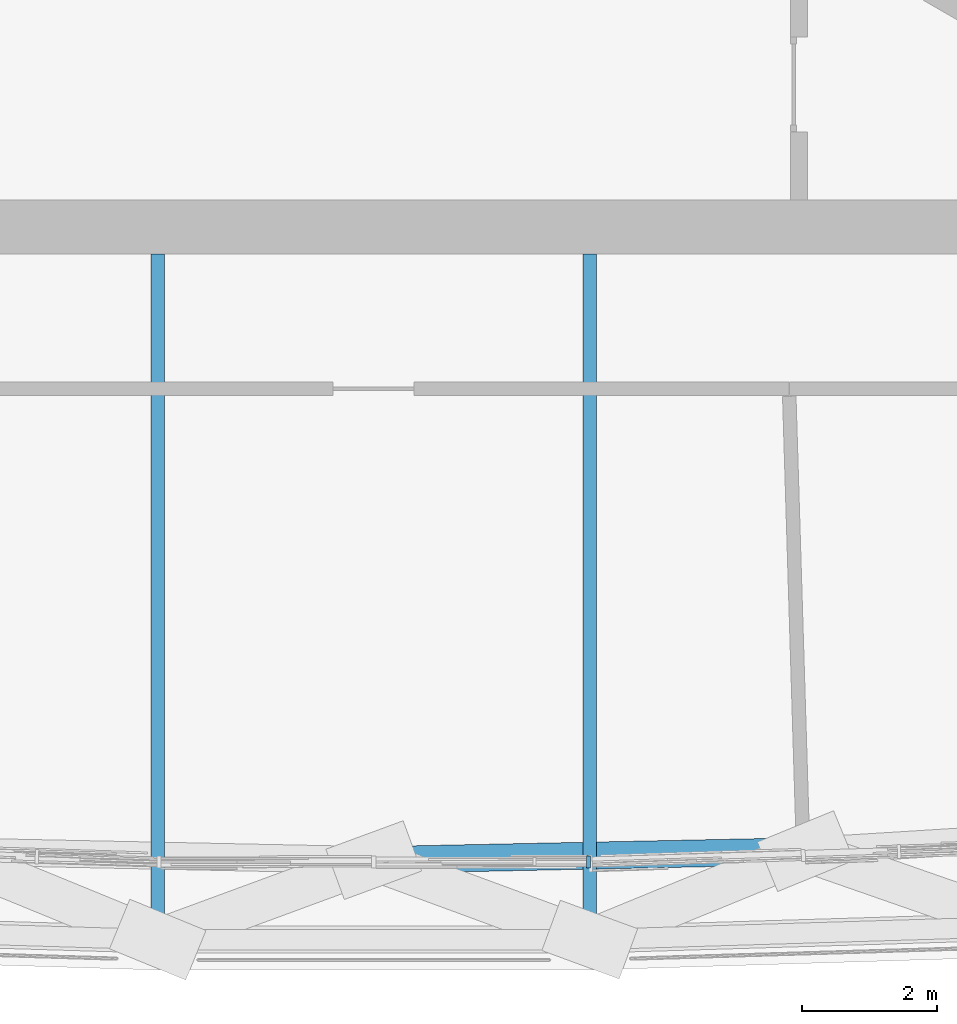
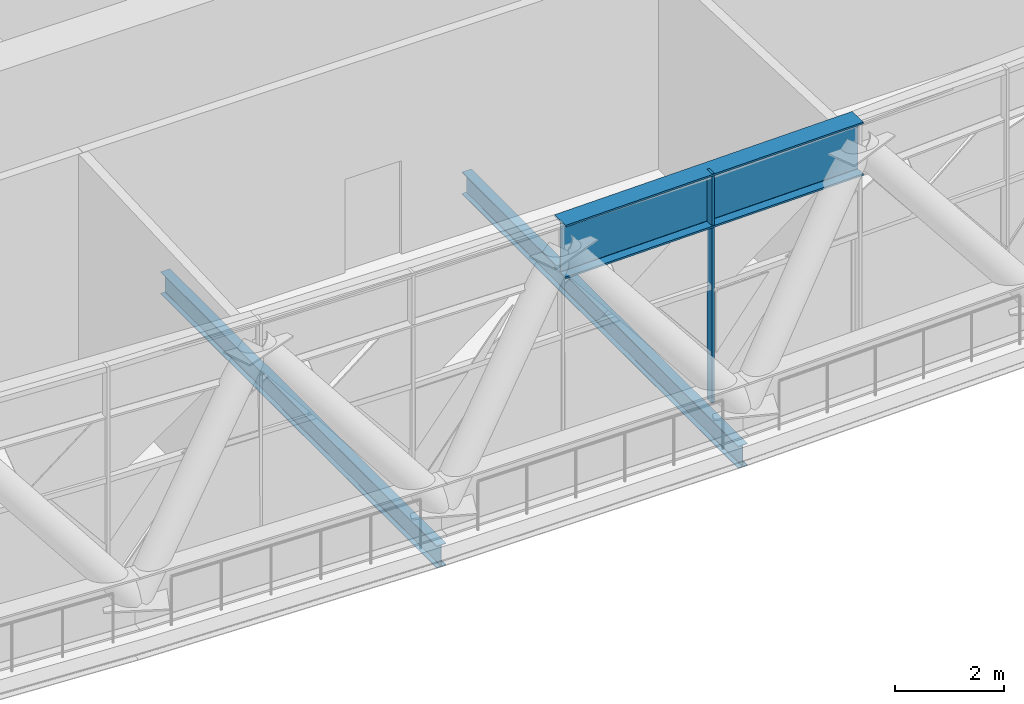
# One storey, part 3 of 35: 2 beams, 2 members, 1 element without a shape of its own.
"""IFC4 building model written with IfcOpenShell, lengths in metres."""

from ifc_helpers import new_model, si_unit, direction, frame, origin, origin_2d, place, context, subcontext, project, spatial, rectangle, i_section, extrude, material, material_profile, profile_set, type_object, element, aggregate, save


model = new_model("IFC4")

# Units and contexts
model_context = context("Model", 3, precision=1e-05, world=origin(), true_north=direction((0.0, 1.0)))
body_context = subcontext(model_context, "Body", "Model", "MODEL_VIEW")
ifc_project = project(units=[si_unit("LENGTHUNIT", "METRE"), si_unit("AREAUNIT", "SQUARE_METRE"), si_unit("VOLUMEUNIT", "CUBIC_METRE"), si_unit("PLANEANGLEUNIT", "RADIAN"), si_unit("MASSUNIT", "GRAM", prefix="KILO")], contexts=[model_context])

# Site, building, storey
site_placement = place(None, origin())
site = spatial("IfcSite", under=ifc_project, at=site_placement, CompositionType="ELEMENT")
building_placement = place(site_placement, origin())
building = spatial("IfcBuilding", under=site, at=building_placement, Name="Mestral Congress Tower", CompositionType="ELEMENT")
storey_placement = place(building_placement, frame((0.0, 0.0, 196.199951171875)))
storey = spatial("IfcBuildingStorey", under=building, at=storey_placement, Name="L46", CompositionType="ELEMENT", Elevation=196.199951171875)

# Member
ifc_material_1 = material(Name="Steel S355", Category="steel")
ifc_material_profile_1 = material_profile(ifc_material_1, i_section(OverallWidth=0.39990234375, OverallDepth=1.199951171875, WebThickness=0.02001953125, FlangeThickness=0.0400390625, FilletRadius=0.010009765625, at=origin_2d()), Name="WPG 1200")
ifc_profile_set_1 = profile_set([ifc_material_profile_1], Name="Steel S355")
member_type_1 = type_object("IfcMemberType", Name="Belt chord WPG 1200 S355", PredefinedType="CHORD", material=ifc_profile_set_1)
member_1_placement = place(storey_placement, frame((0.0, -19.4306640625, 4.550048828125), z_axis=(0.999784626203, 0.020753342109, 0.0), x_axis=(-0.020753342109, 0.999784626203, 0.0)))
element("IfcMember", 1, at=member_1_placement, inside=storey, type_object=member_type_1, Name="MB-L46-TC3-S03", PredefinedType="CHORD", context=body_context, shape_type="SweptSolid", body=[
    extrude(i_section(OverallWidth=0.39990234375, OverallDepth=1.199951171875, WebThickness=0.02001953125, FlangeThickness=0.0400390625, FilletRadius=0.010009765625, at=origin_2d()), origin(), (0.0, 0.0, 1.0), 6.399658203125),
])

# Curtain wall, member
ifc_material_2 = material(Name="Clear low-emissivity double glazing", Category="glass")
curtain_wall_type = type_object("IfcCurtainWallType", Name="Facade refuge band screen", PredefinedType="USERDEFINED", material=ifc_material_2)
curtain_wall_placement = place(storey_placement, origin())
curtain_wall = element("IfcCurtainWall", 2, at=curtain_wall_placement, inside=storey, type_object=curtain_wall_type, Name="Facade refuge band screen face 1", ObjectType="CURTAIN WALL", PredefinedType="USERDEFINED")
ifc_material_3 = material(Name="Anodised aluminium", Category="aluminium")
ifc_material_profile_2 = material_profile(ifc_material_3, rectangle(XDim=0.179931640625, YDim=0.06005859375, at=origin_2d()), Name="CW3 mullion 180 x 60")
ifc_profile_set_2 = profile_set([ifc_material_profile_2], Name="Anodised aluminium")
member_type_2 = type_object("IfcMemberType", Name="Facade refuge band screen mullion", PredefinedType="MULLION", material=ifc_profile_set_2)
member_2_placement = place(storey_placement, frame((3.182373046875, -19.458251953125, 0.0), z_axis=(0.0, 0.0, 1.0), x_axis=(0.015262311717, -0.999883524137, 0.0)))
member_2 = element("IfcMember", 3, at=member_2_placement, type_object=member_type_2, Name="Facade refuge band screen mullion", PredefinedType="MULLION", context=body_context, shape_type="SweptSolid", body=[
    extrude(rectangle(XDim=0.179931640625, YDim=0.06005859375, at=origin_2d()), origin(), (0.0, 0.0, 1.0), 5.150146484375),
])
aggregate(curtain_wall, [member_2])

# Beams
ifc_material_profile_3 = material_profile(ifc_material_1, i_section(OverallWidth=0.199951171875, OverallDepth=0.5, WebThickness=0.01025390625, FlangeThickness=0.01611328125, FilletRadius=0.02099609375, at=origin_2d()), Name="IPE 500")
ifc_profile_set_3 = profile_set([ifc_material_profile_3], Name="Steel S355")
beam_type = type_object("IfcBeamType", Name="Floor beam IPE 500 S355", PredefinedType="BEAM", material=ifc_profile_set_3)
for number, where, z_axis, x_axis, name in (
    (4, (-3.199951171875, -20.608154296875, -0.550048828125), (0.0, 1.0, 0.0), (-1.0, 0.0, 0.0), "BM-L46-RB3-S03"),
    (5, (3.199951171875, -20.608154296875, -0.550048828125), (0.0, 1.0, 0.0), (-1.0, 0.0, 0.0), "BM-L46-RB3-S04"),
):
    element("IfcBeam", number, at=place(storey_placement, frame(where, z_axis=z_axis, x_axis=x_axis)), inside=storey, type_object=beam_type, Name=name, PredefinedType="BEAM", context=body_context, shape_type="SweptSolid", body=[
        extrude(i_section(OverallWidth=0.199951171875, OverallDepth=0.5, WebThickness=0.01025390625, FlangeThickness=0.01611328125, FilletRadius=0.02099609375, at=origin_2d()), origin(), (0.0, 0.0, 1.0), 10.158203125),
    ])

save(model, "model.ifc")
